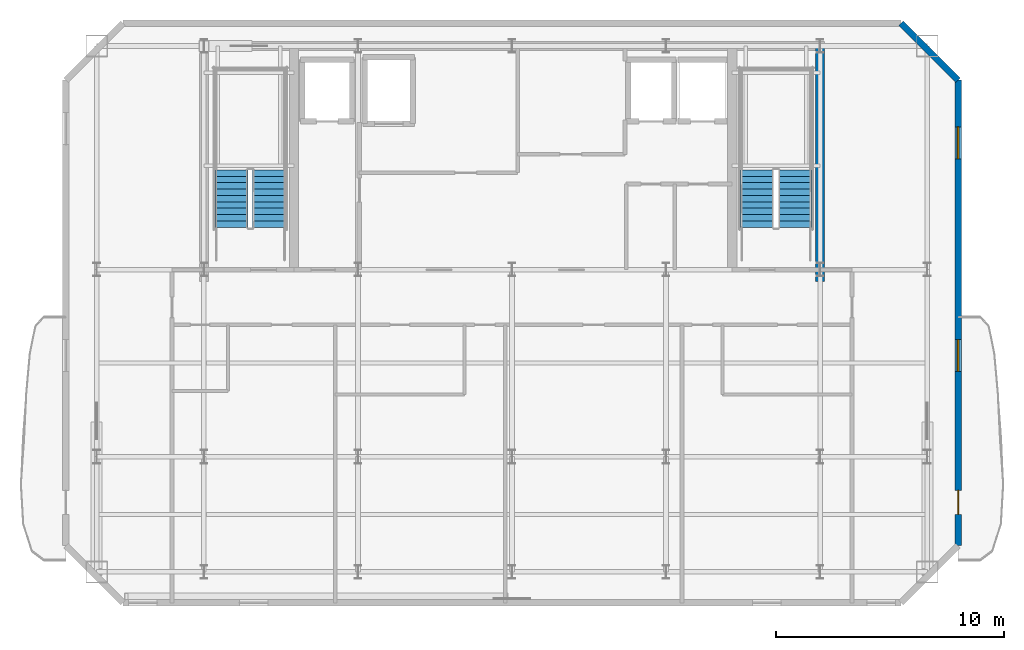
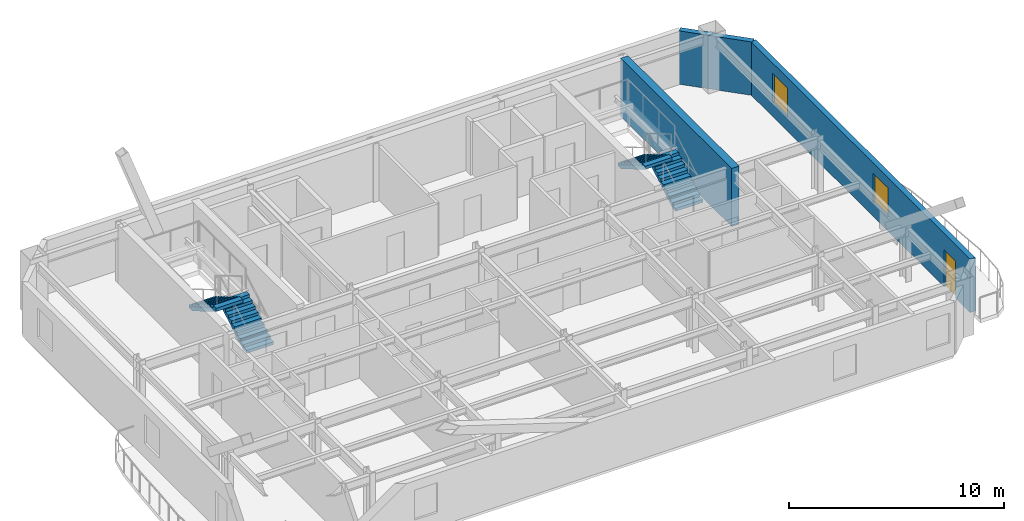
# One storey, part 4 of 6: 4 stair flights, 3 walls, 2 windows, 1 door, 3 openings, 2 elements without a shape of their own.
"""IFC4 building model written with IfcOpenShell, lengths in metres."""

from ifc_helpers import new_model, si_unit, direction, frame, frame_2d, origin, place, context, subcontext, project, spatial, polyline, rectangle, outline, extrude, material, layer, layer_set, type_object, element, fill, aggregate, save


model = new_model("IFC4")

# Units and contexts
model_context = context("Model", 3, precision=1e-05, world=origin(), true_north=direction((0.0, 1.0)))
body_context = subcontext(model_context, "Body", "Model", "MODEL_VIEW")
ifc_project = project(units=[si_unit("LENGTHUNIT", "METRE"), si_unit("AREAUNIT", "SQUARE_METRE"), si_unit("VOLUMEUNIT", "CUBIC_METRE"), si_unit("PLANEANGLEUNIT", "RADIAN"), si_unit("MASSUNIT", "GRAM", prefix="KILO")], contexts=[model_context])

# Site, building, storey
site_placement = place(None, origin())
site = spatial("IfcSite", under=ifc_project, at=site_placement, CompositionType="ELEMENT")
building_placement = place(site_placement, origin())
building = spatial("IfcBuilding", under=site, at=building_placement, Name="Haevon Station Towers", CompositionType="ELEMENT")
storey_placement = place(building_placement, frame((0.0, 0.0, 262.5)))
storey = spatial("IfcBuildingStorey", under=building, at=storey_placement, Name="L73", CompositionType="ELEMENT", Elevation=262.5)

# Walls
ifc_material_1 = material(Name="Concrete C60/75", Category="concrete")
ifc_layer_1 = layer(ifc_material_1, 0.39990234375)
ifc_layer_set_1 = layer_set([ifc_layer_1], Name="Concrete C60/75")
wall_type_1 = type_object("IfcWallType", Name="WL-CR400", PredefinedType="SHEAR", material=ifc_layer_set_1)
wall_1_placement = place(storey_placement, frame((51.0, 37.679931640625, 0.0), z_axis=(0.0, 0.0, 1.0), x_axis=(0.0, 1.0, 0.0)))
element("IfcWall", 1, at=wall_1_placement, inside=storey, type_object=wall_type_1, Name="WL-T1CR-L73-E", PredefinedType="SHEAR", context=body_context, shape_type="SweptSolid", body=[
    extrude(rectangle(XDim=10.320068359375, YDim=0.39990234375, at=frame_2d((5.16015625, 0.0))), origin(), (0.0, 0.0, 1.0), 3.300048828125),
])
ifc_material_2 = material(Name="Precast concrete C45/55", Category="concrete")
ifc_layer_2 = layer(ifc_material_2, 0.280029296875)
ifc_layer_set_2 = layer_set([ifc_layer_2], Name="Precast concrete C45/55")
wall_type_2 = type_object("IfcWallType", Name="WL-EXT-PIER280", PredefinedType="SOLIDWALL", material=ifc_layer_set_2)
wall_2_placement = place(storey_placement, frame((54.550048828125, 49.0, 0.0), z_axis=(0.0, 0.0, 1.0), x_axis=(0.707106781187, -0.707106781187, 0.0)))
element("IfcWall", 2, at=wall_2_placement, inside=storey, type_object=wall_type_2, Name="WL-T1-L73-NEC", PredefinedType="SOLIDWALL", context=body_context, shape_type="SweptSolid", body=[
    extrude(rectangle(XDim=3.53564453125, YDim=0.280029296875, at=frame_2d((1.767822265625, 0.0))), origin(), (0.0, 0.0, 1.0), 3.030029296875),
])

# Wall, openings, door, windows
wall_3_placement = place(storey_placement, frame((57.050048828125, 46.5, 0.0), z_axis=(0.0, 0.0, 1.0), x_axis=(0.0, -1.0, 0.0)))
wall_3 = element("IfcWall", 3, at=wall_3_placement, inside=storey, type_object=wall_type_2, Name="WL-T1-L73-E", PredefinedType="SOLIDWALL", context=body_context, shape_type="SweptSolid", body=[
    extrude(rectangle(XDim=20.39990234375, YDim=0.280029296875, at=frame_2d((10.199951171875, 0.0))), origin(), (0.0, 0.0, 1.0), 3.030029296875),
])
opening_1_placement = place(wall_3_placement, frame((17.97509765625, 0.0, 0.0)))
opening_1 = element("IfcOpeningElement", 4, at=opening_1_placement, cuts=wall_3, Name="Opening DR-T1-SCAL-L73-E", PredefinedType="OPENING", context=body_context, shape_type="SweptSolid", body=[
    extrude(rectangle(XDim=1.050048828125, YDim=2.10009765625, at=frame_2d((0.52490234375, 1.050048828125))), frame((0.0, 0.14990234375, 0.0), z_axis=(0.0, -1.0, 0.0), x_axis=(1.0, 0.0, 0.0)), (0.0, 0.0, 1.0), 0.300048828125),
])
opening_2_placement = place(wall_3_placement, frame((2.04296875, 0.0, 0.800048828125)))
opening_2 = element("IfcOpeningElement", 5, at=opening_2_placement, cuts=wall_3, Name="Opening WN-END140", PredefinedType="OPENING", context=body_context, shape_type="SweptSolid", body=[
    extrude(rectangle(XDim=1.39990234375, YDim=1.64990234375, at=frame_2d((0.699951171875, 0.824951171875))), frame((0.0, 0.14990234375, 0.0), z_axis=(0.0, -1.0, 0.0), x_axis=(1.0, 0.0, 0.0)), (0.0, 0.0, 1.0), 0.300048828125),
])
opening_3_placement = place(wall_3_placement, frame((11.3642578125, 0.0, 0.800048828125)))
opening_3 = element("IfcOpeningElement", 6, at=opening_3_placement, cuts=wall_3, Name="Opening WN-END140", PredefinedType="OPENING", context=body_context, shape_type="SweptSolid", body=[
    extrude(rectangle(XDim=1.39990234375, YDim=1.64990234375, at=frame_2d((0.699951171875, 0.824951171875))), frame((0.0, 0.14990234375, 0.0), z_axis=(0.0, -1.0, 0.0), x_axis=(1.0, 0.0, 0.0)), (0.0, 0.0, 1.0), 0.300048828125),
])
ifc_material_3 = material(Name="Thermally broken anodised aluminium and laminated safety glass", Category="aluminium")
door_type = type_object("IfcDoorType", Name="DR-BALC-1050", OperationType="NOTDEFINED", PredefinedType="DOOR", material=ifc_material_3)
door_placement = place(opening_1_placement, origin())
door = element("IfcDoor", 7, at=door_placement, inside=storey, type_object=door_type, Name="Tower 1 L73 East Scalloped Balcony Door", OperationType="SINGLE_SWING_RIGHT", OverallHeight=2.10009765625, OverallWidth=1.050048828125, PredefinedType="DOOR", context=body_context, shape_type="SweptSolid", body=[
    extrude(rectangle(XDim=1.050048828125, YDim=2.10009765625, at=frame_2d((0.52490234375, 1.050048828125))), frame((0.0, 0.02490234375, 0.0), z_axis=(0.0, -1.0, 0.0), x_axis=(1.0, 0.0, 0.0)), (0.0, 0.0, 1.0), 0.050048828125),
])
fill(opening_1, door)
ifc_material_4 = material(Name="Low-E triple glazing in thermally broken aluminium", Category="aluminium")
window_type = type_object("IfcWindowType", Name="WN-END140", PartitioningType="SINGLE_PANEL", PredefinedType="WINDOW", material=ifc_material_4)
window_1_placement = place(opening_2_placement, origin())
window_1 = element("IfcWindow", 8, at=window_1_placement, inside=storey, type_object=window_type, Name="WN-T1-L73-E01", OverallHeight=1.64990234375, OverallWidth=1.39990234375, PartitioningType="SINGLE_PANEL", PredefinedType="WINDOW", context=body_context, shape_type="SweptSolid", body=[
    extrude(rectangle(XDim=1.39990234375, YDim=1.64990234375, at=frame_2d((0.699951171875, 0.824951171875))), frame((0.0, 0.030029296875, 0.0), z_axis=(0.0, -1.0, 0.0), x_axis=(1.0, 0.0, 0.0)), (0.0, 0.0, 1.0), 0.06005859375),
])
fill(opening_2, window_1)
window_2_placement = place(opening_3_placement, origin())
window_2 = element("IfcWindow", 9, at=window_2_placement, inside=storey, type_object=window_type, Name="WN-T1-L73-E02", OverallHeight=1.64990234375, OverallWidth=1.39990234375, PartitioningType="SINGLE_PANEL", PredefinedType="WINDOW", context=body_context, shape_type="SweptSolid", body=[
    extrude(rectangle(XDim=1.39990234375, YDim=1.64990234375, at=frame_2d((0.699951171875, 0.824951171875))), frame((0.0, 0.030029296875, 0.0), z_axis=(0.0, -1.0, 0.0), x_axis=(1.0, 0.0, 0.0)), (0.0, 0.0, 1.0), 0.06005859375),
])
fill(opening_3, window_2)

# Stair, stair flights
ifc_material_5 = material(Name="Concrete C40/50", Category="concrete")
stair_type = type_object("IfcStairType", Name="STR-DL1450", PredefinedType="USERDEFINED", material=ifc_material_5)
stair_1_placement = place(storey_placement, origin())
stair_1 = element("IfcStair", 10, at=stair_1_placement, inside=storey, type_object=stair_type, Name="L73 Escape Stair ST1", ObjectType="TWO_RETURN_STAIR", PredefinedType="USERDEFINED")
stair_flight_type = type_object("IfcStairFlightType", Name="STF-ST1450", PredefinedType="STRAIGHT", material=ifc_material_5)
stair_flight_1_placement = place(storey_placement, frame((26.85498046875, 40.050048828125, 0.0), z_axis=(0.0, 0.0, 1.0), x_axis=(0.0, 1.0, 0.0)))
stair_flight_1 = element("IfcStairFlight", 11, at=stair_flight_1_placement, type_object=stair_flight_type, Name="L73 ST1 Flight 1", NumberOfRisers=10, NumberOfTreads=9, PredefinedType="STRAIGHT", RiserHeight=0.165, TreadLength=0.28, context=body_context, shape_type="SweptSolid", body=[
    extrude(outline(polyline([(0.0, 0.0), (0.0, 0.1650390625), (0.280029296875, 0.1650390625), (0.280029296875, 0.330078125), (0.56005859375, 0.330078125), (0.56005859375, 0.4951171875), (0.840087890625, 0.4951171875), (0.840087890625, 0.659912109375), (1.1201171875, 0.659912109375), (1.1201171875, 0.824951171875), (1.39990234375, 0.824951171875), (1.39990234375, 0.989990234375), (1.679931640625, 0.989990234375), (1.679931640625, 1.155029296875), (1.9599609375, 1.155029296875), (1.9599609375, 1.320068359375), (2.239990234375, 1.320068359375), (2.239990234375, 1.485107421875), (2.52001953125, 1.485107421875), (2.52001953125, 1.64990234375), (2.52001953125, 1.29931640625), (0.31494140625, 0.0), (0.0, 0.0)])), frame((0.0, 0.72509765625, 0.0), z_axis=(0.0, -1.0, 0.0), x_axis=(1.0, 0.0, 0.0)), (0.0, 0.0, 1.0), 1.449951171875),
])
stair_flight_2_placement = place(storey_placement, frame((25.205078125, 42.570068359375, 1.64990234375), z_axis=(0.0, 0.0, 1.0), x_axis=(0.0, -1.0, 0.0)))
stair_flight_2 = element("IfcStairFlight", 12, at=stair_flight_2_placement, type_object=stair_flight_type, Name="L73 ST1 Flight 2", NumberOfRisers=10, NumberOfTreads=9, PredefinedType="STRAIGHT", RiserHeight=0.165, TreadLength=0.28, context=body_context, shape_type="SweptSolid", body=[
    extrude(outline(polyline([(0.0, 0.0), (0.0, 0.1650390625), (0.280029296875, 0.1650390625), (0.280029296875, 0.330078125), (0.56005859375, 0.330078125), (0.56005859375, 0.4951171875), (0.840087890625, 0.4951171875), (0.840087890625, 0.659912109375), (1.1201171875, 0.659912109375), (1.1201171875, 0.824951171875), (1.39990234375, 0.824951171875), (1.39990234375, 0.989990234375), (1.679931640625, 0.989990234375), (1.679931640625, 1.155029296875), (1.9599609375, 1.155029296875), (1.9599609375, 1.320068359375), (2.239990234375, 1.320068359375), (2.239990234375, 1.485107421875), (2.52001953125, 1.485107421875), (2.52001953125, 1.64990234375), (2.52001953125, 1.29931640625), (0.31494140625, 0.0), (0.0, 0.0)])), frame((0.0, 0.72509765625, 0.0), z_axis=(0.0, -1.0, 0.0), x_axis=(1.0, 0.0, 0.0)), (0.0, 0.0, 1.0), 1.449951171875),
])
aggregate(stair_1, [stair_flight_1, stair_flight_2])

stair_2_placement = place(storey_placement, origin())
stair_2 = element("IfcStair", 13, at=stair_2_placement, inside=storey, type_object=stair_type, Name="L73 Escape Stair ST2", ObjectType="TWO_RETURN_STAIR", PredefinedType="USERDEFINED")
stair_flight_3_placement = place(storey_placement, frame((49.89501953125, 40.050048828125, 0.0), z_axis=(0.0, 0.0, 1.0), x_axis=(0.0, 1.0, 0.0)))
stair_flight_3 = element("IfcStairFlight", 14, at=stair_flight_3_placement, type_object=stair_flight_type, Name="L73 ST2 Flight 1", NumberOfRisers=10, NumberOfTreads=9, PredefinedType="STRAIGHT", RiserHeight=0.165, TreadLength=0.28, context=body_context, shape_type="SweptSolid", body=[
    extrude(outline(polyline([(0.0, 0.0), (0.0, 0.1650390625), (0.280029296875, 0.1650390625), (0.280029296875, 0.330078125), (0.56005859375, 0.330078125), (0.56005859375, 0.4951171875), (0.840087890625, 0.4951171875), (0.840087890625, 0.659912109375), (1.1201171875, 0.659912109375), (1.1201171875, 0.824951171875), (1.39990234375, 0.824951171875), (1.39990234375, 0.989990234375), (1.679931640625, 0.989990234375), (1.679931640625, 1.155029296875), (1.9599609375, 1.155029296875), (1.9599609375, 1.320068359375), (2.239990234375, 1.320068359375), (2.239990234375, 1.485107421875), (2.52001953125, 1.485107421875), (2.52001953125, 1.64990234375), (2.52001953125, 1.29931640625), (0.31494140625, 0.0), (0.0, 0.0)])), frame((0.0, 0.72509765625, 0.0), z_axis=(0.0, -1.0, 0.0), x_axis=(1.0, 0.0, 0.0)), (0.0, 0.0, 1.0), 1.449951171875),
])
stair_flight_4_placement = place(storey_placement, frame((48.2451171875, 42.570068359375, 1.64990234375), z_axis=(0.0, 0.0, 1.0), x_axis=(0.0, -1.0, 0.0)))
stair_flight_4 = element("IfcStairFlight", 15, at=stair_flight_4_placement, type_object=stair_flight_type, Name="L73 ST2 Flight 2", NumberOfRisers=10, NumberOfTreads=9, PredefinedType="STRAIGHT", RiserHeight=0.165, TreadLength=0.28, context=body_context, shape_type="SweptSolid", body=[
    extrude(outline(polyline([(0.0, 0.0), (0.0, 0.1650390625), (0.280029296875, 0.1650390625), (0.280029296875, 0.330078125), (0.56005859375, 0.330078125), (0.56005859375, 0.4951171875), (0.840087890625, 0.4951171875), (0.840087890625, 0.659912109375), (1.1201171875, 0.659912109375), (1.1201171875, 0.824951171875), (1.39990234375, 0.824951171875), (1.39990234375, 0.989990234375), (1.679931640625, 0.989990234375), (1.679931640625, 1.155029296875), (1.9599609375, 1.155029296875), (1.9599609375, 1.320068359375), (2.239990234375, 1.320068359375), (2.239990234375, 1.485107421875), (2.52001953125, 1.485107421875), (2.52001953125, 1.64990234375), (2.52001953125, 1.29931640625), (0.31494140625, 0.0), (0.0, 0.0)])), frame((0.0, 0.72509765625, 0.0), z_axis=(0.0, -1.0, 0.0), x_axis=(1.0, 0.0, 0.0)), (0.0, 0.0, 1.0), 1.449951171875),
])
aggregate(stair_2, [stair_flight_3, stair_flight_4])

save(model, "model.ifc")
